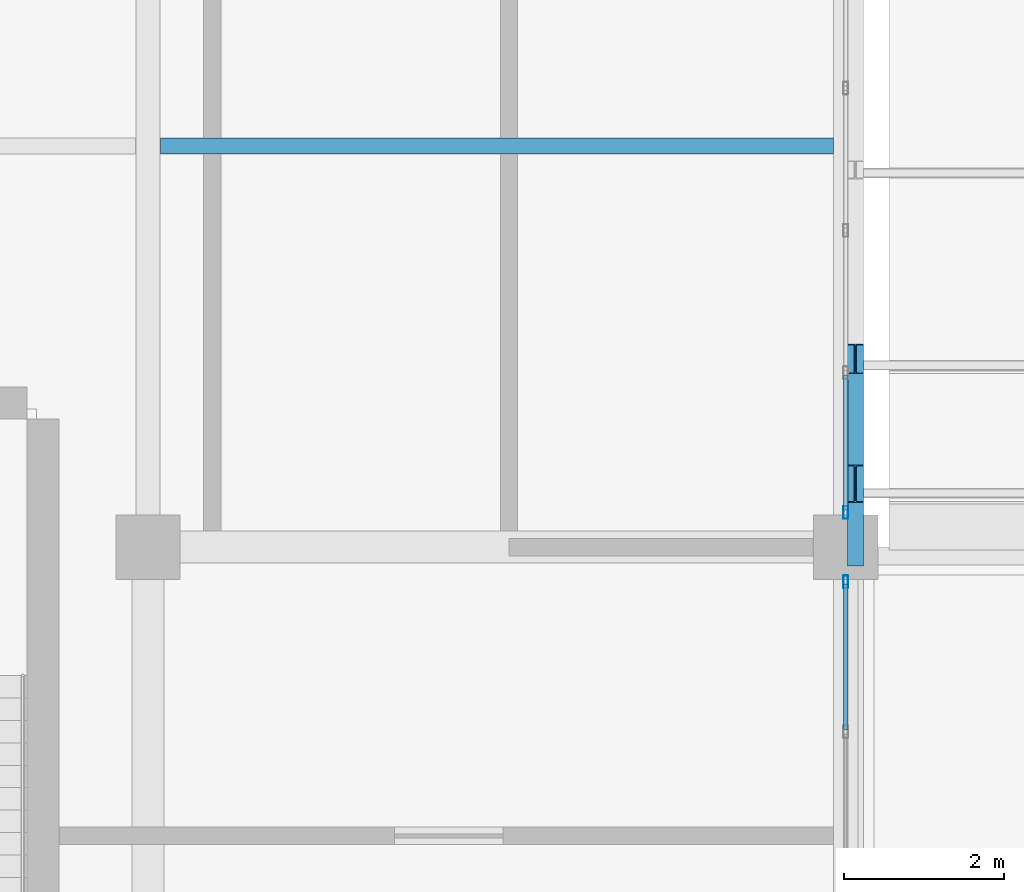
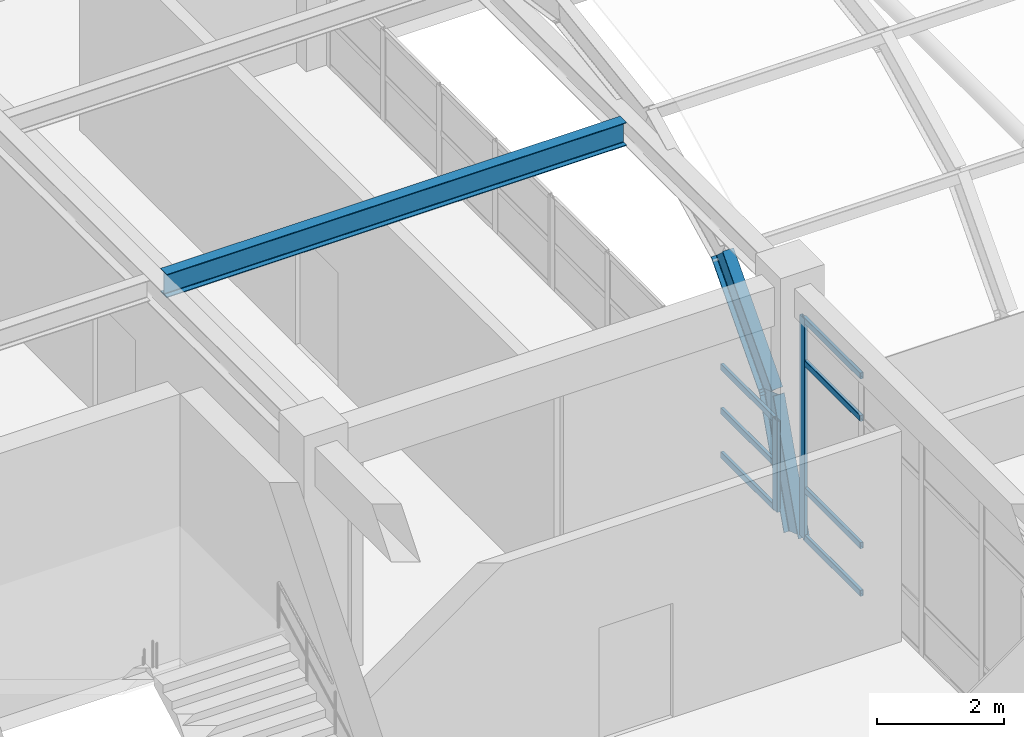
# One storey, part 39 of 124: 9 members, 3 beams, 2 elements without a shape of their own.
"""IFC4 building model written with IfcOpenShell, lengths in metres."""

from ifc_helpers import new_model, si_unit, derived_unit, direction, frame, origin, origin_2d, place, context, subcontext, project, spatial, hollow_rectangle, i_section, extrude, material, layer, layer_set, material_profile, profile_set, type_object, element, aggregate, save


model = new_model("IFC4")

# Units and contexts
model_context = context("Model", 3, precision=1e-05, world=origin(), true_north=direction((0.0, 1.0)))
body_context = subcontext(model_context, "Body", "Model", "MODEL_VIEW")
ifc_project = project(units=[si_unit("LENGTHUNIT", "METRE"), si_unit("AREAUNIT", "SQUARE_METRE"), si_unit("VOLUMEUNIT", "CUBIC_METRE"), si_unit("PLANEANGLEUNIT", "RADIAN"), si_unit("MASSUNIT", "GRAM", prefix="KILO"), derived_unit("THERMALTRANSMITTANCEUNIT", [(si_unit("MASSUNIT", "GRAM", prefix="KILO"), 1), (si_unit("TIMEUNIT", "SECOND"), -3), (si_unit("THERMODYNAMICTEMPERATUREUNIT", "KELVIN"), -1)])], contexts=[model_context])

# Site, building, storey
site_placement = place(None, origin())
site = spatial("IfcSite", under=ifc_project, at=site_placement, CompositionType="ELEMENT")
building_placement = place(site_placement, origin())
building = spatial("IfcBuilding", under=site, at=building_placement, Name="Qinzheling Arcade Emporium", CompositionType="ELEMENT")
storey_placement = place(building_placement, frame((0.0, 0.0, 16.5)))
storey = spatial("IfcBuildingStorey", under=building, at=storey_placement, Name="L04", CompositionType="ELEMENT", Elevation=16.5)

# Beams
ifc_material_1 = material(Name="Weathering steel Q355NH", Category="steel")
ifc_material_profile_1 = material_profile(ifc_material_1, i_section(OverallWidth=0.199951171875, OverallDepth=0.5, WebThickness=0.010009765625, FlangeThickness=0.01611328125, FilletRadius=0.01806640625, at=origin_2d()), Name="HN 500x200x10x16", Category="steel")
ifc_profile_set_1 = profile_set([ifc_material_profile_1], Name="Weathering steel Q355NH")
beam_type_1 = type_object("IfcBeamType", Name="Arcade End Arch Rib HN500 Q355NH", PredefinedType="BEAM", material=ifc_profile_set_1)
beam_1_placement = place(storey_placement, frame((104.52001953125, 50.39990234375, -0.25), z_axis=(0.0, 0.328552089369, 0.94448585197), x_axis=(-1.0, 0.0, 0.0)))
element("IfcBeam", 1, at=beam_1_placement, inside=storey, type_object=beam_type_1, Name="Arcade Arch Rib VLT-ARCADE-RIB-01-S01", PredefinedType="BEAM", context=body_context, shape_type="SweptSolid", body=[
    extrude(i_section(OverallWidth=0.199951171875, OverallDepth=0.5, WebThickness=0.010009765625, FlangeThickness=0.01611328125, FilletRadius=0.01806640625, at=origin_2d()), origin(), (0.0, 0.0, 1.0), 2.407470703125),
])
beam_2_placement = place(storey_placement, frame((104.52001953125, 51.19091796875, 2.02392578125), z_axis=(0.0, 0.667721005474, 0.744411619233), x_axis=(-1.0, 0.0, 0.0)))
element("IfcBeam", 2, at=beam_2_placement, inside=storey, type_object=beam_type_1, Name="Arcade Arch Rib VLT-ARCADE-RIB-01-S02", PredefinedType="BEAM", context=body_context, shape_type="SweptSolid", body=[
    extrude(i_section(OverallWidth=0.199951171875, OverallDepth=0.5, WebThickness=0.010009765625, FlangeThickness=0.01611328125, FilletRadius=0.01806640625, at=origin_2d()), origin(), (0.0, 0.0, 1.0), 2.33349609375),
])

# Curtain wall, member
ifc_material_2 = material(Name="Anodised aluminium and solar-control double glazing", Category="aluminium")
ifc_layer = layer(ifc_material_2, 0.159912109375, Name="Anodised aluminium and solar-control double glazing", Category="aluminium")
ifc_layer_set = layer_set([ifc_layer], Name="Anodised aluminium and solar-control double glazing")
curtain_wall_type = type_object("IfcCurtainWallType", Name="Atrium Clerestory Curtain Wall", PredefinedType="NOTDEFINED", material=ifc_layer_set)
curtain_wall_1_placement = place(storey_placement, origin())
curtain_wall_1 = element("IfcCurtainWall", 3, at=curtain_wall_1_placement, inside=storey, type_object=curtain_wall_type, Name="Curtain Wall CW-L04-252", PredefinedType="NOTDEFINED")
ifc_material_3 = material(Name="Anodised aluminium 6063-T6", Category="aluminium")
ifc_material_profile_2 = material_profile(ifc_material_3, hollow_rectangle(XDim=0.06005859375, YDim=0.159912109375, WallThickness=0.00390625, InnerFilletRadius=0.00390625, OuterFilletRadius=0.008056640625, at=origin_2d()), Name="RHS 160x60x4", Category="aluminium")
ifc_profile_set_2 = profile_set([ifc_material_profile_2], Name="Anodised aluminium 6063-T6")
member_type_1 = type_object("IfcMemberType", Name="Curtain Wall Mullion RHS160x60", PredefinedType="MULLION", material=ifc_profile_set_2)
member_1_placement = place(storey_placement, frame((104.39990234375, 50.83203125, 0.0), z_axis=(0.0, 0.0, 1.0), x_axis=(1.0, 0.0, 0.0)))
member_1 = element("IfcMember", 4, at=member_1_placement, type_object=member_type_1, Name="CW03 mullion 5", PredefinedType="MULLION", context=body_context, shape_type="SweptSolid", body=[
    extrude(hollow_rectangle(XDim=0.06005859375, YDim=0.159912109375, WallThickness=0.00390625, InnerFilletRadius=0.00390625, OuterFilletRadius=0.008056640625, at=origin_2d()), origin(), (0.0, 0.0, 1.0), 1.759033203125),
])

curtain_wall_2_placement = place(storey_placement, origin())
curtain_wall_2 = element("IfcCurtainWall", 5, at=curtain_wall_2_placement, inside=storey, type_object=curtain_wall_type, Name="Curtain Wall CW-L04-253", PredefinedType="NOTDEFINED")
member_2_placement = place(storey_placement, frame((104.39990234375, 49.968017578125, 0.0), z_axis=(0.0, 0.0, 1.0), x_axis=(1.0, 0.0, 0.0)))
member_2 = element("IfcMember", 6, at=member_2_placement, type_object=member_type_1, Name="CW03 mullion 1", PredefinedType="MULLION", context=body_context, shape_type="SweptSolid", body=[
    extrude(hollow_rectangle(XDim=0.06005859375, YDim=0.159912109375, WallThickness=0.00390625, InnerFilletRadius=0.00390625, OuterFilletRadius=0.008056640625, at=origin_2d()), origin(), (0.0, 0.0, 1.0), 4.2548828125),
])

# Member
ifc_material_profile_3 = material_profile(ifc_material_3, hollow_rectangle(XDim=0.06005859375, YDim=0.1201171875, WallThickness=0.00390625, InnerFilletRadius=0.00390625, OuterFilletRadius=0.008056640625, at=origin_2d()), Name="RHS 120x60x4", Category="aluminium")
ifc_profile_set_3 = profile_set([ifc_material_profile_3], Name="Anodised aluminium 6063-T6")
member_type_2 = type_object("IfcMemberType", Name="Curtain Wall Transom RHS120x60", PredefinedType="USERDEFINED", material=ifc_profile_set_3)
member_3_placement = place(storey_placement, frame((104.39990234375, 52.5458984375, 0.030029296875), z_axis=(0.0, -1.0, 0.0), x_axis=(1.0, 0.0, 0.0)))
member_3 = element("IfcMember", 7, at=member_3_placement, type_object=member_type_2, Name="CW03 transom 4.1", ObjectType="TRANSOM", PredefinedType="USERDEFINED", context=body_context, shape_type="SweptSolid", body=[
    extrude(hollow_rectangle(XDim=0.06005859375, YDim=0.1201171875, WallThickness=0.00390625, InnerFilletRadius=0.00390625, OuterFilletRadius=0.008056640625, at=origin_2d()), origin(), (0.0, 0.0, 1.0), 1.683837890625),
])

member_4_placement = place(storey_placement, frame((104.39990234375, 52.5458984375, 0.8798828125), z_axis=(0.0, -1.0, 0.0), x_axis=(1.0, 0.0, 0.0)))
member_4 = element("IfcMember", 8, at=member_4_placement, type_object=member_type_2, Name="CW03 transom 4.2", ObjectType="TRANSOM", PredefinedType="USERDEFINED", context=body_context, shape_type="SweptSolid", body=[
    extrude(hollow_rectangle(XDim=0.06005859375, YDim=0.1201171875, WallThickness=0.00390625, InnerFilletRadius=0.00390625, OuterFilletRadius=0.008056640625, at=origin_2d()), origin(), (0.0, 0.0, 1.0), 1.683837890625),
])

member_5_placement = place(storey_placement, frame((104.39990234375, 52.5458984375, 1.72900390625), z_axis=(0.0, -1.0, 0.0), x_axis=(1.0, 0.0, 0.0)))
member_5 = element("IfcMember", 9, at=member_5_placement, type_object=member_type_2, Name="CW03 transom 4.3", ObjectType="TRANSOM", PredefinedType="USERDEFINED", context=body_context, shape_type="SweptSolid", body=[
    extrude(hollow_rectangle(XDim=0.06005859375, YDim=0.1201171875, WallThickness=0.00390625, InnerFilletRadius=0.00390625, OuterFilletRadius=0.008056640625, at=origin_2d()), origin(), (0.0, 0.0, 1.0), 1.683837890625),
])

aggregate(curtain_wall_1, [member_1, member_3, member_4, member_5])

member_6_placement = place(storey_placement, frame((104.39990234375, 49.93798828125, 0.030029296875), z_axis=(0.0, -1.0, 0.0), x_axis=(1.0, 0.0, 0.0)))
member_6 = element("IfcMember", 10, at=member_6_placement, type_object=member_type_2, Name="CW03 transom 1.1", ObjectType="TRANSOM", PredefinedType="USERDEFINED", context=body_context, shape_type="SweptSolid", body=[
    extrude(hollow_rectangle(XDim=0.06005859375, YDim=0.1201171875, WallThickness=0.00390625, InnerFilletRadius=0.00390625, OuterFilletRadius=0.008056640625, at=origin_2d()), origin(), (0.0, 0.0, 1.0), 1.80908203125),
])

member_7_placement = place(storey_placement, frame((104.39990234375, 49.93798828125, 0.949951171875), z_axis=(0.0, -1.0, 0.0), x_axis=(1.0, 0.0, 0.0)))
member_7 = element("IfcMember", 11, at=member_7_placement, type_object=member_type_2, Name="CW03 transom 1.2", ObjectType="TRANSOM", PredefinedType="USERDEFINED", context=body_context, shape_type="SweptSolid", body=[
    extrude(hollow_rectangle(XDim=0.06005859375, YDim=0.1201171875, WallThickness=0.00390625, InnerFilletRadius=0.00390625, OuterFilletRadius=0.008056640625, at=origin_2d()), origin(), (0.0, 0.0, 1.0), 1.80908203125),
])

member_8_placement = place(storey_placement, frame((104.39990234375, 49.93798828125, 3.405029296875), z_axis=(0.0, -1.0, 0.0), x_axis=(1.0, 0.0, 0.0)))
member_8 = element("IfcMember", 12, at=member_8_placement, type_object=member_type_2, Name="CW03 transom 1.3", ObjectType="TRANSOM", PredefinedType="USERDEFINED", context=body_context, shape_type="SweptSolid", body=[
    extrude(hollow_rectangle(XDim=0.06005859375, YDim=0.1201171875, WallThickness=0.00390625, InnerFilletRadius=0.00390625, OuterFilletRadius=0.008056640625, at=origin_2d()), origin(), (0.0, 0.0, 1.0), 1.80908203125),
])

member_9_placement = place(storey_placement, frame((104.39990234375, 49.93798828125, 4.22509765625), z_axis=(0.0, -1.0, 0.0), x_axis=(1.0, 0.0, 0.0)))
member_9 = element("IfcMember", 13, at=member_9_placement, type_object=member_type_2, Name="CW03 transom 1.4", ObjectType="TRANSOM", PredefinedType="USERDEFINED", context=body_context, shape_type="SweptSolid", body=[
    extrude(hollow_rectangle(XDim=0.06005859375, YDim=0.1201171875, WallThickness=0.00390625, InnerFilletRadius=0.00390625, OuterFilletRadius=0.008056640625, at=origin_2d()), origin(), (0.0, 0.0, 1.0), 1.80908203125),
])

aggregate(curtain_wall_2, [member_2, member_6, member_7, member_8, member_9])

# Beam
ifc_material_4 = material(Name="Structural steel Q355B", Category="steel")
ifc_material_profile_4 = material_profile(ifc_material_4, i_section(OverallWidth=0.199951171875, OverallDepth=0.449951171875, WebThickness=0.009033203125, FlangeThickness=0.013916015625, FilletRadius=0.01611328125, at=origin_2d()), Name="HN 450x200x9x14", Category="steel")
ifc_profile_set_4 = profile_set([ifc_material_profile_4], Name="Structural steel Q355B")
beam_type_2 = type_object("IfcBeamType", Name="Secondary Floor Joist HN450 Q355B", PredefinedType="JOIST", material=ifc_profile_set_4)
beam_3_placement = place(storey_placement, frame((95.85498046875, 55.39990234375, 4.594970703125), z_axis=(1.0, 0.0, 0.0), x_axis=(0.0, 1.0, 0.0)))
element("IfcBeam", 14, at=beam_3_placement, inside=storey, type_object=beam_type_2, Name="Secondary Joist JST-L04-12-1", PredefinedType="JOIST", context=body_context, shape_type="SweptSolid", body=[
    extrude(i_section(OverallWidth=0.199951171875, OverallDepth=0.449951171875, WebThickness=0.009033203125, FlangeThickness=0.013916015625, FilletRadius=0.01611328125, at=origin_2d()), origin(), (0.0, 0.0, 1.0), 8.39013671875),
])

save(model, "model.ifc")
